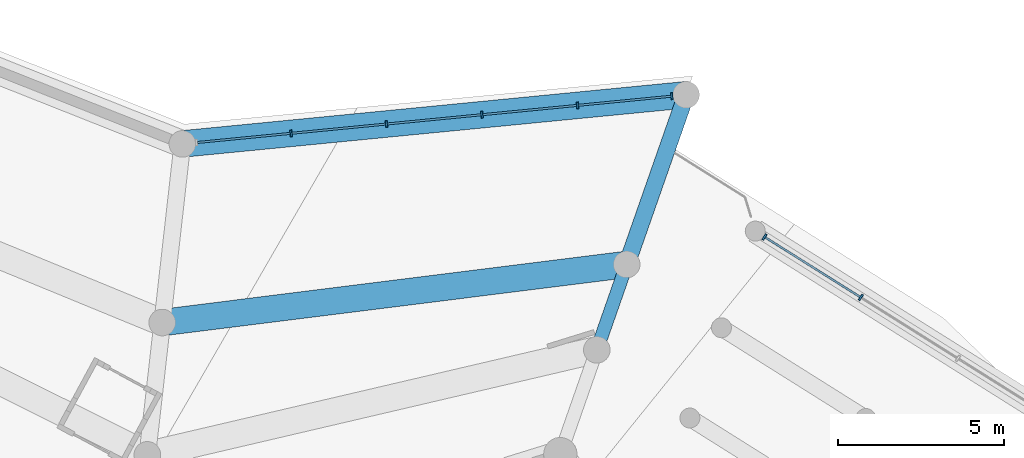
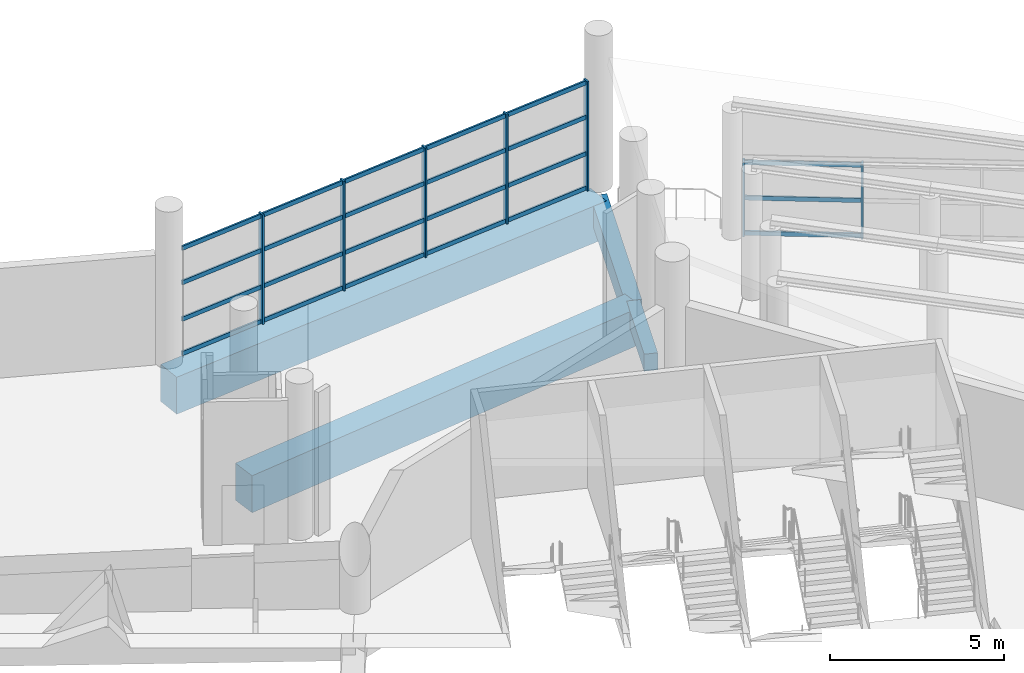
# One storey, part 109 of 271: 30 members, 4 beams, 2 elements without a shape of their own.
"""IFC4 building model written with IfcOpenShell, lengths in metres."""

from ifc_helpers import new_model, si_unit, direction, frame, origin, origin_2d, place, context, subcontext, project, spatial, rectangle, extrude, material, layer, layer_set, material_profile, profile_set, type_object, element, aggregate, save


model = new_model("IFC4")

# Units and contexts
model_context = context("Model", 3, precision=1e-05, world=origin(), true_north=direction((0.0, 1.0)))
body_context = subcontext(model_context, "Body", "Model", "MODEL_VIEW")
ifc_project = project(units=[si_unit("LENGTHUNIT", "METRE"), si_unit("AREAUNIT", "SQUARE_METRE"), si_unit("VOLUMEUNIT", "CUBIC_METRE"), si_unit("PLANEANGLEUNIT", "RADIAN"), si_unit("MASSUNIT", "GRAM", prefix="KILO")], contexts=[model_context])

# Site, building, storey
site_placement = place(None, origin())
site = spatial("IfcSite", under=ifc_project, at=site_placement, CompositionType="ELEMENT")
building_placement = place(site_placement, origin())
building = spatial("IfcBuilding", under=site, at=building_placement, Name="Meseta Stadium", CompositionType="ELEMENT")
storey_placement = place(building_placement, frame((0.0, 0.0, 6.5)))
storey = spatial("IfcBuildingStorey", under=building, at=storey_placement, Name="L01", CompositionType="ELEMENT", Elevation=6.5)

# Beams
ifc_material_1 = material(Name="Concrete C40/50", Category="concrete")
ifc_material_profile_1 = material_profile(ifc_material_1, rectangle(XDim=0.39990234375, YDim=0.60009765625, at=origin_2d()), Name="RC 400x600")
ifc_profile_set_1 = profile_set([ifc_material_profile_1], Name="Concrete C40/50")
beam_type_1 = type_object("IfcBeamType", Name="RC beam 400x600", PredefinedType="BEAM", material=ifc_profile_set_1)
beam_1_placement = place(storey_placement, frame((65.3935546875, 105.423583984375, -0.64990234375), z_axis=(0.33025443173, 0.943891948436, 0.0), x_axis=(-0.943891948436, 0.33025443173, 0.0)))
element("IfcBeam", 1, at=beam_1_placement, inside=storey, type_object=beam_type_1, Name="L01 radial beam frame 14 line M to Q", PredefinedType="BEAM", context=body_context, shape_type="SweptSolid", body=[
    extrude(rectangle(XDim=0.39990234375, YDim=0.60009765625, at=origin_2d()), origin(), (0.0, 0.0, 1.0), 2.718994140625),
])
ifc_material_2 = material(Name="Concrete C40/50", Category="concrete")
ifc_material_profile_2 = material_profile(ifc_material_2, rectangle(XDim=0.5, YDim=0.75, at=origin_2d()), Name="RC 500x750")
ifc_profile_set_2 = profile_set([ifc_material_profile_2], Name="Concrete C40/50")
beam_type_2 = type_object("IfcBeamType", Name="RC beam 500x750", PredefinedType="BEAM", material=ifc_profile_set_2)
beam_2_placement = place(storey_placement, frame((66.29150390625, 107.989990234375, -0.72509765625), z_axis=(0.330312161181, 0.943871747737, 0.0), x_axis=(-0.943871747737, 0.330312161181, 0.0)))
element("IfcBeam", 2, at=beam_2_placement, inside=storey, type_object=beam_type_2, Name="L01 radial beam frame 14 line Q to O", PredefinedType="BEAM", context=body_context, shape_type="SweptSolid", body=[
    extrude(rectangle(XDim=0.5, YDim=0.75, at=origin_2d()), origin(), (0.0, 0.0, 1.0), 5.39990234375),
])
ifc_material_3 = material(Name="Concrete C40/50", Category="concrete")
ifc_material_profile_3 = material_profile(ifc_material_3, rectangle(XDim=0.800048828125, YDim=1.300048828125, at=origin_2d()), Name="RC 800x1300")
ifc_profile_set_3 = profile_set([ifc_material_profile_3], Name="Concrete C40/50")
beam_type_3 = type_object("IfcBeamType", Name="RC beam 800x1300", PredefinedType="BEAM", material=ifc_profile_set_3)
beam_3_placement = place(storey_placement, frame((66.29150390625, 107.989990234375, -1.0), z_axis=(-0.99226424955, -0.124143703283, 0.0), x_axis=(0.124143703283, -0.99226424955, 0.0)))
element("IfcBeam", 3, at=beam_3_placement, inside=storey, type_object=beam_type_3, Name="L01 ring beam frame 14 line Q", PredefinedType="BEAM", context=body_context, shape_type="SweptSolid", body=[
    extrude(rectangle(XDim=0.800048828125, YDim=1.300048828125, at=origin_2d()), origin(), (0.0, 0.0, 1.0), 14.063232421875),
])
beam_4_placement = place(storey_placement, frame((68.0751953125, 113.0869140625, -1.0), z_axis=(-0.99527217358, -0.097125179524, 0.0), x_axis=(0.097125179524, -0.99527217358, 0.0)))
element("IfcBeam", 4, at=beam_4_placement, inside=storey, type_object=beam_type_3, Name="L01 ring beam frame 14 line O", PredefinedType="BEAM", context=body_context, shape_type="SweptSolid", body=[
    extrude(rectangle(XDim=0.800048828125, YDim=1.300048828125, at=origin_2d()), origin(), (0.0, 0.0, 1.0), 15.205078125),
])

# Curtain wall, members
ifc_material_4 = material(Name="Aluminium", Category="aluminium")
ifc_layer_1 = layer(ifc_material_4, 0.199951171875)
ifc_layer_set_1 = layer_set([ifc_layer_1], Name="Ring shopfront curtain wall")
curtain_wall_type_1 = type_object("IfcCurtainWallType", Name="Ring shopfront curtain wall", PredefinedType="NOTDEFINED", material=ifc_layer_set_1)
curtain_wall_1_placement = place(storey_placement, origin())
curtain_wall_1 = element("IfcCurtainWall", 5, at=curtain_wall_1_placement, inside=storey, type_object=curtain_wall_type_1, Name="Ring glazing L01 F14", PredefinedType="NOTDEFINED")
ifc_material_5 = material(Name="Aluminium", Category="aluminium")
ifc_material_profile_4 = material_profile(ifc_material_5, rectangle(XDim=0.199951171875, YDim=0.06005859375, at=origin_2d()), Name="CW 200x60")
ifc_profile_set_4 = profile_set([ifc_material_profile_4], Name="Aluminium")
member_type_1 = type_object("IfcMemberType", Name="Ring CW mullion 60x200", PredefinedType="MULLION", material=ifc_profile_set_4)
member_1_placement = place(storey_placement, frame((67.647216796875, 113.045166015625, 0.0), z_axis=(0.0, 0.0, 1.0), x_axis=(0.097124618973, -0.995272228282, 0.0)))
member_1 = element("IfcMember", 6, at=member_1_placement, type_object=member_type_1, Name="CWR1 mullion 1", PredefinedType="MULLION", context=body_context, shape_type="SweptSolid", body=[
    extrude(rectangle(XDim=0.199951171875, YDim=0.06005859375, at=origin_2d()), origin(), (0.0, 0.0, 1.0), 3.85009765625),
])
member_2_placement = place(storey_placement, frame((64.8095703125, 112.768310546875, 0.0), z_axis=(0.0, 0.0, 1.0), x_axis=(0.097124618973, -0.995272228282, 0.0)))
member_2 = element("IfcMember", 7, at=member_2_placement, type_object=member_type_1, Name="CWR1 mullion 2", PredefinedType="MULLION", context=body_context, shape_type="SweptSolid", body=[
    extrude(rectangle(XDim=0.199951171875, YDim=0.06005859375, at=origin_2d()), origin(), (0.0, 0.0, 1.0), 3.85009765625),
])
member_3_placement = place(storey_placement, frame((61.942138671875, 112.488525390625, 0.0), z_axis=(0.0, 0.0, 1.0), x_axis=(0.097124618973, -0.995272228282, 0.0)))
member_3 = element("IfcMember", 8, at=member_3_placement, type_object=member_type_1, Name="CWR1 mullion 3", PredefinedType="MULLION", context=body_context, shape_type="SweptSolid", body=[
    extrude(rectangle(XDim=0.199951171875, YDim=0.06005859375, at=origin_2d()), origin(), (0.0, 0.0, 1.0), 3.85009765625),
])
member_4_placement = place(storey_placement, frame((59.07470703125, 112.208740234375, 0.0), z_axis=(0.0, 0.0, 1.0), x_axis=(0.097124618973, -0.995272228282, 0.0)))
member_4 = element("IfcMember", 9, at=member_4_placement, type_object=member_type_1, Name="CWR1 mullion 4", PredefinedType="MULLION", context=body_context, shape_type="SweptSolid", body=[
    extrude(rectangle(XDim=0.199951171875, YDim=0.06005859375, at=origin_2d()), origin(), (0.0, 0.0, 1.0), 3.85009765625),
])
member_5_placement = place(storey_placement, frame((56.207275390625, 111.9287109375, 0.0), z_axis=(0.0, 0.0, 1.0), x_axis=(0.097124618973, -0.995272228282, 0.0)))
member_5 = element("IfcMember", 10, at=member_5_placement, type_object=member_type_1, Name="CWR1 mullion 5", PredefinedType="MULLION", context=body_context, shape_type="SweptSolid", body=[
    extrude(rectangle(XDim=0.199951171875, YDim=0.06005859375, at=origin_2d()), origin(), (0.0, 0.0, 1.0), 3.85009765625),
])

ifc_material_6 = material(Name="Aluminium", Category="aluminium")
ifc_layer_2 = layer(ifc_material_6, 0.199951171875)
ifc_layer_set_2 = layer_set([ifc_layer_2], Name="Gate hall curtain wall")
curtain_wall_type_2 = type_object("IfcCurtainWallType", Name="Gate hall curtain wall", PredefinedType="NOTDEFINED", material=ifc_layer_set_2)
curtain_wall_2_placement = place(storey_placement, origin())
curtain_wall_2 = element("IfcCurtainWall", 11, at=curtain_wall_2_placement, inside=storey, type_object=curtain_wall_type_2, Name="Gate 2 hall glazing", PredefinedType="NOTDEFINED")
member_6_placement = place(storey_placement, frame((70.43310546875, 108.815673828125, 0.0), z_axis=(0.0, 0.0, 1.0), x_axis=(0.532027655072, 0.846726977389, 0.0)))
member_6 = element("IfcMember", 12, at=member_6_placement, type_object=member_type_1, Name="CWG1 mullion 1", PredefinedType="MULLION", context=body_context, shape_type="SweptSolid", body=[
    extrude(rectangle(XDim=0.199951171875, YDim=0.06005859375, at=origin_2d()), origin(), (0.0, 0.0, 1.0), 2.62451171875),
])
member_7_placement = place(storey_placement, frame((73.324462890625, 106.9990234375, 0.0), z_axis=(0.0, 0.0, 1.0), x_axis=(0.532027655072, 0.846726977389, 0.0)))
member_7 = element("IfcMember", 13, at=member_7_placement, type_object=member_type_1, Name="CWG1 mullion 2", PredefinedType="MULLION", context=body_context, shape_type="SweptSolid", body=[
    extrude(rectangle(XDim=0.199951171875, YDim=0.06005859375, at=origin_2d()), origin(), (0.0, 0.0, 1.0), 2.62451171875),
])

# Member
ifc_material_7 = material(Name="Aluminium", Category="aluminium")
ifc_material_profile_5 = material_profile(ifc_material_7, rectangle(XDim=0.06005859375, YDim=0.14990234375, at=origin_2d()), Name="CW 60x150")
ifc_profile_set_5 = profile_set([ifc_material_profile_5], Name="Aluminium")
member_type_2 = type_object("IfcMemberType", Name="Ring CW transom 60x150", PredefinedType="USERDEFINED", material=ifc_profile_set_5)
member_8_placement = place(storey_placement, frame((67.6171875, 113.042236328125, 0.074951171875), z_axis=(-0.995275046285, -0.097095737509, 0.0), x_axis=(0.097095737509, -0.995275046285, 0.0)))
member_8 = element("IfcMember", 14, at=member_8_placement, type_object=member_type_2, Name="CWR1 transom 1.1", ObjectType="TRANSOM", PredefinedType="USERDEFINED", context=body_context, shape_type="SweptSolid", body=[
    extrude(rectangle(XDim=0.06005859375, YDim=0.14990234375, at=origin_2d()), origin(), (0.0, 0.0, 1.0), 2.791015625),
])

member_9_placement = place(storey_placement, frame((67.6171875, 113.042236328125, 1.283447265625), z_axis=(-0.995275046285, -0.097095737509, 0.0), x_axis=(0.097095737509, -0.995275046285, 0.0)))
member_9 = element("IfcMember", 15, at=member_9_placement, type_object=member_type_2, Name="CWR1 transom 1.2", ObjectType="TRANSOM", PredefinedType="USERDEFINED", context=body_context, shape_type="SweptSolid", body=[
    extrude(rectangle(XDim=0.06005859375, YDim=0.14990234375, at=origin_2d()), origin(), (0.0, 0.0, 1.0), 2.791015625),
])

member_10_placement = place(storey_placement, frame((67.6171875, 113.042236328125, 2.566650390625), z_axis=(-0.995275046285, -0.097095737509, 0.0), x_axis=(0.097095737509, -0.995275046285, 0.0)))
member_10 = element("IfcMember", 16, at=member_10_placement, type_object=member_type_2, Name="CWR1 transom 1.3", ObjectType="TRANSOM", PredefinedType="USERDEFINED", context=body_context, shape_type="SweptSolid", body=[
    extrude(rectangle(XDim=0.06005859375, YDim=0.14990234375, at=origin_2d()), origin(), (0.0, 0.0, 1.0), 2.791015625),
])

member_11_placement = place(storey_placement, frame((67.6171875, 113.042236328125, 3.77490234375), z_axis=(-0.995275046285, -0.097095737509, 0.0), x_axis=(0.097095737509, -0.995275046285, 0.0)))
member_11 = element("IfcMember", 17, at=member_11_placement, type_object=member_type_2, Name="CWR1 transom 1.4", ObjectType="TRANSOM", PredefinedType="USERDEFINED", context=body_context, shape_type="SweptSolid", body=[
    extrude(rectangle(XDim=0.06005859375, YDim=0.14990234375, at=origin_2d()), origin(), (0.0, 0.0, 1.0), 2.791015625),
])

member_12_placement = place(storey_placement, frame((64.77978515625, 112.765380859375, 0.074951171875), z_axis=(-0.995275041875, -0.097095782713, 0.0), x_axis=(0.097095782713, -0.995275041875, 0.0)))
member_12 = element("IfcMember", 18, at=member_12_placement, type_object=member_type_2, Name="CWR1 transom 2.1", ObjectType="TRANSOM", PredefinedType="USERDEFINED", context=body_context, shape_type="SweptSolid", body=[
    extrude(rectangle(XDim=0.06005859375, YDim=0.14990234375, at=origin_2d()), origin(), (0.0, 0.0, 1.0), 2.8212890625),
])

member_13_placement = place(storey_placement, frame((64.77978515625, 112.765380859375, 1.283447265625), z_axis=(-0.995275041875, -0.097095782713, 0.0), x_axis=(0.097095782713, -0.995275041875, 0.0)))
member_13 = element("IfcMember", 19, at=member_13_placement, type_object=member_type_2, Name="CWR1 transom 2.2", ObjectType="TRANSOM", PredefinedType="USERDEFINED", context=body_context, shape_type="SweptSolid", body=[
    extrude(rectangle(XDim=0.06005859375, YDim=0.14990234375, at=origin_2d()), origin(), (0.0, 0.0, 1.0), 2.8212890625),
])

member_14_placement = place(storey_placement, frame((64.77978515625, 112.765380859375, 2.566650390625), z_axis=(-0.995275041875, -0.097095782713, 0.0), x_axis=(0.097095782713, -0.995275041875, 0.0)))
member_14 = element("IfcMember", 20, at=member_14_placement, type_object=member_type_2, Name="CWR1 transom 2.3", ObjectType="TRANSOM", PredefinedType="USERDEFINED", context=body_context, shape_type="SweptSolid", body=[
    extrude(rectangle(XDim=0.06005859375, YDim=0.14990234375, at=origin_2d()), origin(), (0.0, 0.0, 1.0), 2.8212890625),
])

member_15_placement = place(storey_placement, frame((64.77978515625, 112.765380859375, 3.77490234375), z_axis=(-0.995275041875, -0.097095782713, 0.0), x_axis=(0.097095782713, -0.995275041875, 0.0)))
member_15 = element("IfcMember", 21, at=member_15_placement, type_object=member_type_2, Name="CWR1 transom 2.4", ObjectType="TRANSOM", PredefinedType="USERDEFINED", context=body_context, shape_type="SweptSolid", body=[
    extrude(rectangle(XDim=0.06005859375, YDim=0.14990234375, at=origin_2d()), origin(), (0.0, 0.0, 1.0), 2.8212890625),
])

member_16_placement = place(storey_placement, frame((61.912353515625, 112.485595703125, 0.074951171875), z_axis=(-0.995275041875, -0.097095782713, 0.0), x_axis=(0.097095782713, -0.995275041875, 0.0)))
member_16 = element("IfcMember", 22, at=member_16_placement, type_object=member_type_2, Name="CWR1 transom 3.1", ObjectType="TRANSOM", PredefinedType="USERDEFINED", context=body_context, shape_type="SweptSolid", body=[
    extrude(rectangle(XDim=0.06005859375, YDim=0.14990234375, at=origin_2d()), origin(), (0.0, 0.0, 1.0), 2.8212890625),
])

member_17_placement = place(storey_placement, frame((61.912353515625, 112.485595703125, 1.283447265625), z_axis=(-0.995275041875, -0.097095782713, 0.0), x_axis=(0.097095782713, -0.995275041875, 0.0)))
member_17 = element("IfcMember", 23, at=member_17_placement, type_object=member_type_2, Name="CWR1 transom 3.2", ObjectType="TRANSOM", PredefinedType="USERDEFINED", context=body_context, shape_type="SweptSolid", body=[
    extrude(rectangle(XDim=0.06005859375, YDim=0.14990234375, at=origin_2d()), origin(), (0.0, 0.0, 1.0), 2.8212890625),
])

member_18_placement = place(storey_placement, frame((61.912353515625, 112.485595703125, 2.566650390625), z_axis=(-0.995275041875, -0.097095782713, 0.0), x_axis=(0.097095782713, -0.995275041875, 0.0)))
member_18 = element("IfcMember", 24, at=member_18_placement, type_object=member_type_2, Name="CWR1 transom 3.3", ObjectType="TRANSOM", PredefinedType="USERDEFINED", context=body_context, shape_type="SweptSolid", body=[
    extrude(rectangle(XDim=0.06005859375, YDim=0.14990234375, at=origin_2d()), origin(), (0.0, 0.0, 1.0), 2.8212890625),
])

member_19_placement = place(storey_placement, frame((61.912353515625, 112.485595703125, 3.77490234375), z_axis=(-0.995275041875, -0.097095782713, 0.0), x_axis=(0.097095782713, -0.995275041875, 0.0)))
member_19 = element("IfcMember", 25, at=member_19_placement, type_object=member_type_2, Name="CWR1 transom 3.4", ObjectType="TRANSOM", PredefinedType="USERDEFINED", context=body_context, shape_type="SweptSolid", body=[
    extrude(rectangle(XDim=0.06005859375, YDim=0.14990234375, at=origin_2d()), origin(), (0.0, 0.0, 1.0), 2.8212890625),
])

member_20_placement = place(storey_placement, frame((59.044921875, 112.205810546875, 0.074951171875), z_axis=(-0.995266675468, -0.097181503917, 0.0), x_axis=(0.097181503917, -0.995266675468, 0.0)))
member_20 = element("IfcMember", 26, at=member_20_placement, type_object=member_type_2, Name="CWR1 transom 4.1", ObjectType="TRANSOM", PredefinedType="USERDEFINED", context=body_context, shape_type="SweptSolid", body=[
    extrude(rectangle(XDim=0.06005859375, YDim=0.14990234375, at=origin_2d()), origin(), (0.0, 0.0, 1.0), 2.8212890625),
])

member_21_placement = place(storey_placement, frame((59.044921875, 112.205810546875, 1.283447265625), z_axis=(-0.995266675468, -0.097181503917, 0.0), x_axis=(0.097181503917, -0.995266675468, 0.0)))
member_21 = element("IfcMember", 27, at=member_21_placement, type_object=member_type_2, Name="CWR1 transom 4.2", ObjectType="TRANSOM", PredefinedType="USERDEFINED", context=body_context, shape_type="SweptSolid", body=[
    extrude(rectangle(XDim=0.06005859375, YDim=0.14990234375, at=origin_2d()), origin(), (0.0, 0.0, 1.0), 2.8212890625),
])

member_22_placement = place(storey_placement, frame((59.044921875, 112.205810546875, 2.566650390625), z_axis=(-0.995266675468, -0.097181503917, 0.0), x_axis=(0.097181503917, -0.995266675468, 0.0)))
member_22 = element("IfcMember", 28, at=member_22_placement, type_object=member_type_2, Name="CWR1 transom 4.3", ObjectType="TRANSOM", PredefinedType="USERDEFINED", context=body_context, shape_type="SweptSolid", body=[
    extrude(rectangle(XDim=0.06005859375, YDim=0.14990234375, at=origin_2d()), origin(), (0.0, 0.0, 1.0), 2.8212890625),
])

member_23_placement = place(storey_placement, frame((59.044921875, 112.205810546875, 3.77490234375), z_axis=(-0.995266675468, -0.097181503917, 0.0), x_axis=(0.097181503917, -0.995266675468, 0.0)))
member_23 = element("IfcMember", 29, at=member_23_placement, type_object=member_type_2, Name="CWR1 transom 4.4", ObjectType="TRANSOM", PredefinedType="USERDEFINED", context=body_context, shape_type="SweptSolid", body=[
    extrude(rectangle(XDim=0.06005859375, YDim=0.14990234375, at=origin_2d()), origin(), (0.0, 0.0, 1.0), 2.8212890625),
])

member_24_placement = place(storey_placement, frame((56.177490234375, 111.926025390625, 0.074951171875), z_axis=(-0.995266589398, -0.097182385377, 0.0), x_axis=(0.097182385377, -0.995266589398, 0.0)))
member_24 = element("IfcMember", 30, at=member_24_placement, type_object=member_type_2, Name="CWR1 transom 5.1", ObjectType="TRANSOM", PredefinedType="USERDEFINED", context=body_context, shape_type="SweptSolid", body=[
    extrude(rectangle(XDim=0.06005859375, YDim=0.14990234375, at=origin_2d()), origin(), (0.0, 0.0, 1.0), 2.791015625),
])

member_25_placement = place(storey_placement, frame((56.177490234375, 111.926025390625, 1.283447265625), z_axis=(-0.995266589398, -0.097182385377, 0.0), x_axis=(0.097182385377, -0.995266589398, 0.0)))
member_25 = element("IfcMember", 31, at=member_25_placement, type_object=member_type_2, Name="CWR1 transom 5.2", ObjectType="TRANSOM", PredefinedType="USERDEFINED", context=body_context, shape_type="SweptSolid", body=[
    extrude(rectangle(XDim=0.06005859375, YDim=0.14990234375, at=origin_2d()), origin(), (0.0, 0.0, 1.0), 2.791015625),
])

member_26_placement = place(storey_placement, frame((56.177490234375, 111.926025390625, 2.566650390625), z_axis=(-0.995266589398, -0.097182385377, 0.0), x_axis=(0.097182385377, -0.995266589398, 0.0)))
member_26 = element("IfcMember", 32, at=member_26_placement, type_object=member_type_2, Name="CWR1 transom 5.3", ObjectType="TRANSOM", PredefinedType="USERDEFINED", context=body_context, shape_type="SweptSolid", body=[
    extrude(rectangle(XDim=0.06005859375, YDim=0.14990234375, at=origin_2d()), origin(), (0.0, 0.0, 1.0), 2.791015625),
])

member_27_placement = place(storey_placement, frame((56.177490234375, 111.926025390625, 3.77490234375), z_axis=(-0.995266589398, -0.097182385377, 0.0), x_axis=(0.097182385377, -0.995266589398, 0.0)))
member_27 = element("IfcMember", 33, at=member_27_placement, type_object=member_type_2, Name="CWR1 transom 5.4", ObjectType="TRANSOM", PredefinedType="USERDEFINED", context=body_context, shape_type="SweptSolid", body=[
    extrude(rectangle(XDim=0.06005859375, YDim=0.14990234375, at=origin_2d()), origin(), (0.0, 0.0, 1.0), 2.791015625),
])

aggregate(curtain_wall_1, [member_1, member_2, member_3, member_4, member_5, member_8, member_9, member_10, member_11, member_12, member_13, member_14, member_15, member_16, member_17, member_18, member_19, member_20, member_21, member_22, member_23, member_24, member_25, member_26, member_27])

member_28_placement = place(storey_placement, frame((70.45849609375, 108.7998046875, 0.074951171875), z_axis=(0.846748952019, -0.531992680641, 0.0), x_axis=(0.531992680641, 0.846748952019, 0.0)))
member_28 = element("IfcMember", 34, at=member_28_placement, type_object=member_type_2, Name="CWG1 transom 1.1", ObjectType="TRANSOM", PredefinedType="USERDEFINED", context=body_context, shape_type="SweptSolid", body=[
    extrude(rectangle(XDim=0.06005859375, YDim=0.14990234375, at=origin_2d()), origin(), (0.0, 0.0, 1.0), 3.354736328125),
])

member_29_placement = place(storey_placement, frame((70.45849609375, 108.7998046875, 1.312255859375), z_axis=(0.846748952019, -0.531992680641, 0.0), x_axis=(0.531992680641, 0.846748952019, 0.0)))
member_29 = element("IfcMember", 35, at=member_29_placement, type_object=member_type_2, Name="CWG1 transom 1.2", ObjectType="TRANSOM", PredefinedType="USERDEFINED", context=body_context, shape_type="SweptSolid", body=[
    extrude(rectangle(XDim=0.06005859375, YDim=0.14990234375, at=origin_2d()), origin(), (0.0, 0.0, 1.0), 3.354736328125),
])

member_30_placement = place(storey_placement, frame((70.45849609375, 108.7998046875, 2.549560546875), z_axis=(0.846748952019, -0.531992680641, 0.0), x_axis=(0.531992680641, 0.846748952019, 0.0)))
member_30 = element("IfcMember", 36, at=member_30_placement, type_object=member_type_2, Name="CWG1 transom 1.3", ObjectType="TRANSOM", PredefinedType="USERDEFINED", context=body_context, shape_type="SweptSolid", body=[
    extrude(rectangle(XDim=0.06005859375, YDim=0.14990234375, at=origin_2d()), origin(), (0.0, 0.0, 1.0), 3.354736328125),
])

aggregate(curtain_wall_2, [member_6, member_7, member_28, member_29, member_30])

save(model, "model.ifc")
